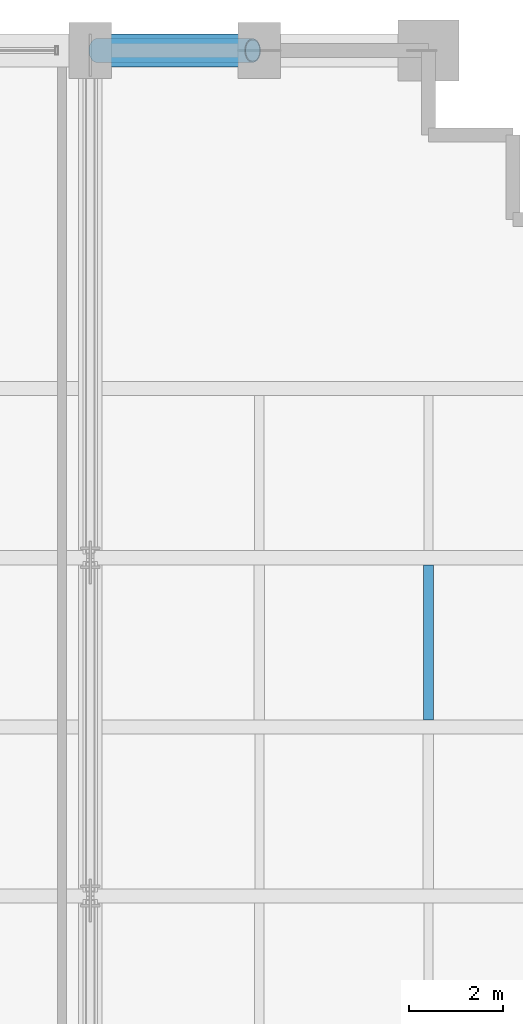
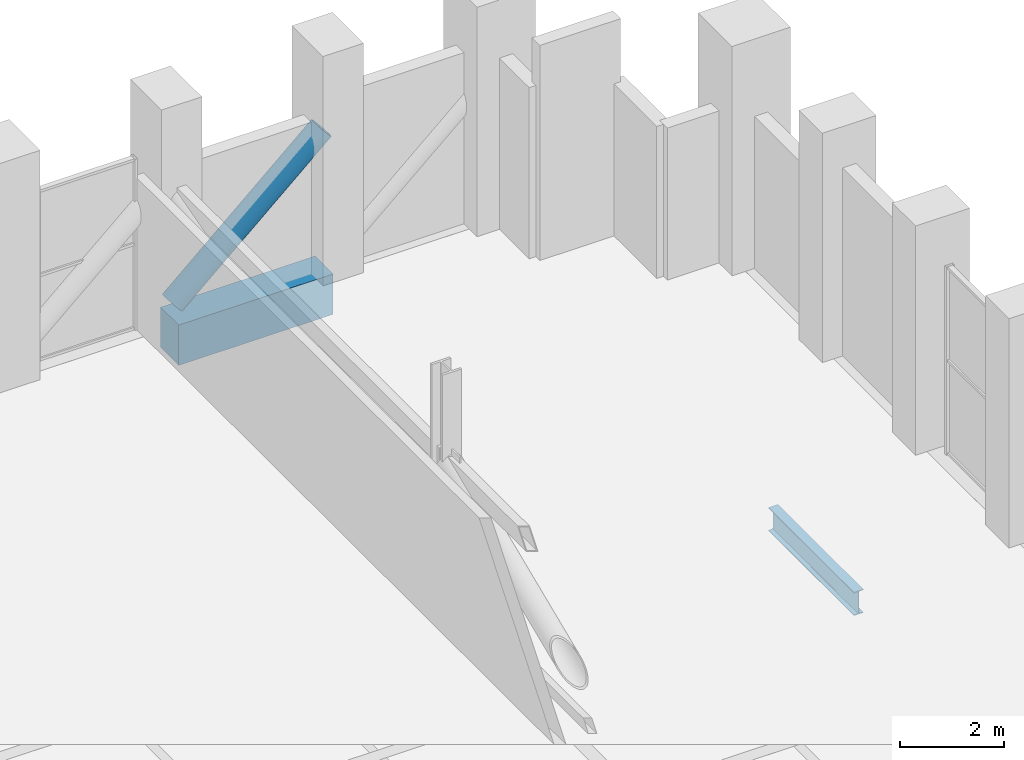
# One storey, part 18 of 27: 2 beams, 1 member.
"""IFC4 building model written with IfcOpenShell, lengths in metres."""

from ifc_helpers import new_model, si_unit, direction, frame, origin, origin_2d, place, context, subcontext, project, spatial, rectangle, hollow_circle, i_section, extrude, material, material_profile, profile_set, type_object, element, save


model = new_model("IFC4")

# Units and contexts
model_context = context("Model", 3, precision=1e-05, world=origin(), true_north=direction((0.0, 1.0)))
body_context = subcontext(model_context, "Body", "Model", "MODEL_VIEW")
ifc_project = project(units=[si_unit("LENGTHUNIT", "METRE"), si_unit("AREAUNIT", "SQUARE_METRE"), si_unit("VOLUMEUNIT", "CUBIC_METRE"), si_unit("PLANEANGLEUNIT", "RADIAN"), si_unit("MASSUNIT", "GRAM", prefix="KILO")], contexts=[model_context])

# Site, building, storey
site_placement = place(None, origin())
site = spatial("IfcSite", under=ifc_project, at=site_placement, CompositionType="ELEMENT")
building_placement = place(site_placement, origin())
building = spatial("IfcBuilding", under=site, at=building_placement, Name="Solnavia Interchange Tower", CompositionType="ELEMENT")
storey_placement = place(building_placement, frame((0.0, 0.0, 74.699951171875)))
storey = spatial("IfcBuildingStorey", under=building, at=storey_placement, Name="L18", CompositionType="ELEMENT", Elevation=74.699951171875)

# Beams
ifc_material_1 = material(Name="Steel S355", Category="steel")
ifc_material_profile_1 = material_profile(ifc_material_1, i_section(OverallWidth=0.2099609375, OverallDepth=0.550048828125, WebThickness=0.010986328125, FlangeThickness=0.01708984375, FilletRadius=0.02392578125, at=origin_2d()), Name="IPE 550")
ifc_profile_set_1 = profile_set([ifc_material_profile_1], Name="Steel S355")
beam_type_1 = type_object("IfcBeamType", Name="Beam-Joist-IPE550", PredefinedType="JOIST", material=ifc_profile_set_1)
beam_1_placement = place(storey_placement, frame((25.199951171875, 36.14990234375, -0.594970703125), z_axis=(0.0, 1.0, 0.0), x_axis=(-1.0, 0.0, 0.0)))
element("IfcBeam", 1, at=beam_1_placement, inside=storey, type_object=beam_type_1, Name="JST-L18-N35 North wing secondary joist", PredefinedType="JOIST", context=body_context, shape_type="SweptSolid", body=[
    extrude(i_section(OverallWidth=0.2099609375, OverallDepth=0.550048828125, WebThickness=0.010986328125, FlangeThickness=0.01708984375, FilletRadius=0.02392578125, at=origin_2d()), origin(), (0.0, 0.0, 1.0), 3.300048828125),
])
ifc_material_2 = material(Name="Concrete C50/60", Category="concrete")
ifc_material_profile_2 = material_profile(ifc_material_2, rectangle(XDim=0.699951171875, YDim=0.949951171875, at=origin_2d()), Name="RC 700x950")
ifc_profile_set_2 = profile_set([ifc_material_profile_2], Name="Concrete C50/60")
beam_type_2 = type_object("IfcBeamType", Name="Beam-Spandrel-RC700x950", PredefinedType="SPANDREL", material=ifc_profile_set_2)
beam_2_placement = place(storey_placement, frame((21.52001953125, 50.39990234375, -0.474853515625), z_axis=(-1.0, 0.0, 0.0), x_axis=(0.0, -1.0, 0.0)))
element("IfcBeam", 2, at=beam_2_placement, inside=storey, type_object=beam_type_2, Name="SPB-L18-35 Framed-tube perimeter spandrel beam", PredefinedType="SPANDREL", context=body_context, shape_type="SweptSolid", body=[
    extrude(rectangle(XDim=0.699951171875, YDim=0.949951171875, at=origin_2d()), origin(), (0.0, 0.0, 1.0), 3.43994140625),
])

# Member
ifc_material_3 = material(Name="Steel S460", Category="steel")
ifc_material_profile_3 = material_profile(ifc_material_3, hollow_circle(Radius=0.25390625, WallThickness=0.02490234375, at=origin_2d()), Name="CHS 508x25")
ifc_profile_set_3 = profile_set([ifc_material_profile_3], Name="Steel S460")
member_type = type_object("IfcMemberType", Name="Outrigger-Diag-CHS508", PredefinedType="BRACE", material=ifc_profile_set_3)
member_placement = place(storey_placement, frame((18.139892578125, 50.39990234375, 0.300048828125), z_axis=(0.747545781752, 0.0, 0.664210286118), x_axis=(0.0, 1.0, 0.0)))
element("IfcMember", 3, at=member_placement, inside=storey, type_object=member_type, Name="OTR-L18-BT12 Belt truss diagonal", PredefinedType="BRACE", context=body_context, shape_type="SweptSolid", body=[
    extrude(hollow_circle(Radius=0.25390625, WallThickness=0.02490234375, at=origin_2d()), origin(), (0.0, 0.0, 1.0), 4.44140625),
])

save(model, "model.ifc")
